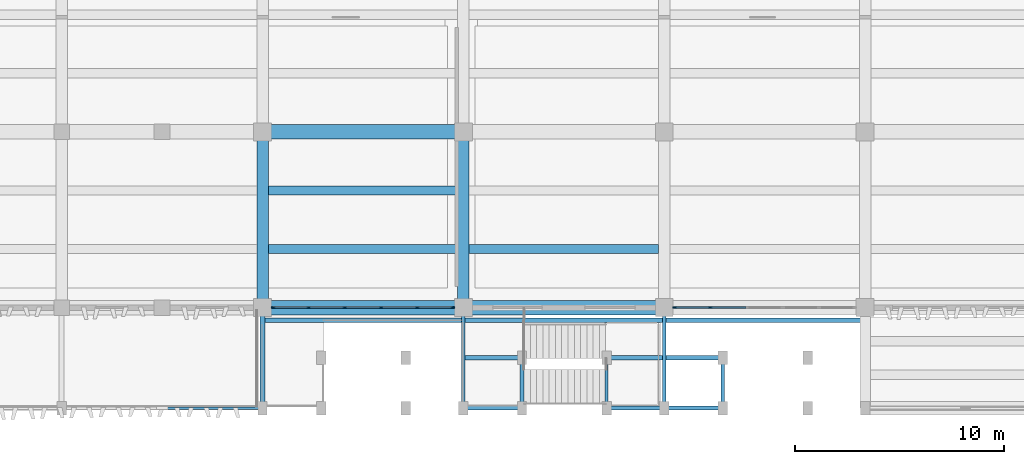
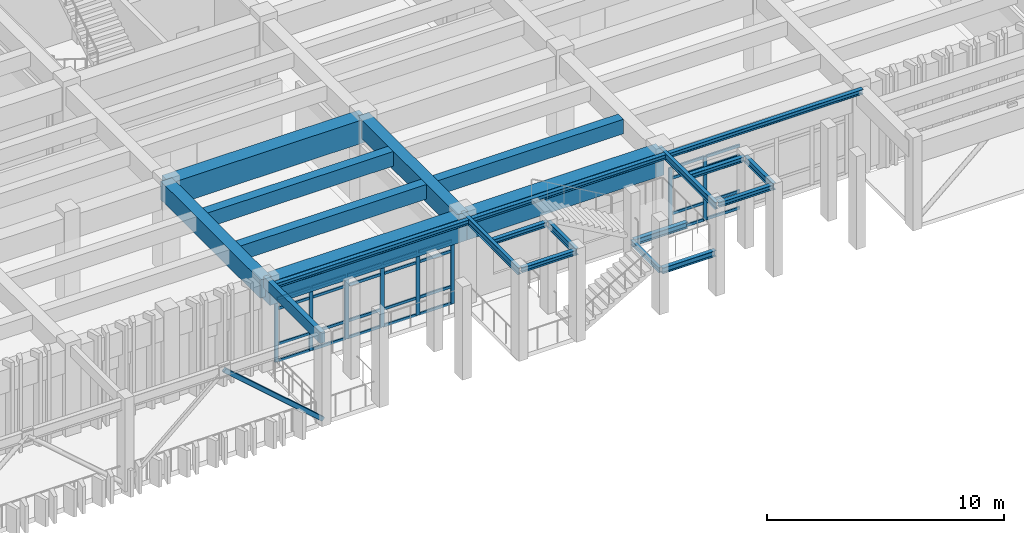
# One storey, part 11 of 86: 37 members, 23 beams, 2 elements without a shape of their own.
"""IFC4 building model written with IfcOpenShell, lengths in metres."""

from ifc_helpers import new_model, si_unit, direction, frame, origin, origin_2d, place, context, subcontext, project, spatial, rectangle, hollow_rectangle, i_section, extrude, material, layer, layer_set, material_profile, profile_set, type_object, element, aggregate, save


model = new_model("IFC4")

# Units and contexts
model_context = context("Model", 3, precision=1e-05, world=origin(), true_north=direction((0.0, 1.0)))
body_context = subcontext(model_context, "Body", "Model", "MODEL_VIEW")
ifc_project = project(units=[si_unit("LENGTHUNIT", "METRE"), si_unit("AREAUNIT", "SQUARE_METRE"), si_unit("VOLUMEUNIT", "CUBIC_METRE"), si_unit("PLANEANGLEUNIT", "RADIAN"), si_unit("MASSUNIT", "GRAM", prefix="KILO")], contexts=[model_context])

# Site, building, storey
site_placement = place(None, origin())
site = spatial("IfcSite", under=ifc_project, at=site_placement, CompositionType="ELEMENT")
building_placement = place(site_placement, origin())
building = spatial("IfcBuilding", under=site, at=building_placement, Name="Kolvemor Railside Polytechnic", CompositionType="ELEMENT")
storey_placement = place(building_placement, frame((0.0, 0.0, 5.39990234375)))
storey = spatial("IfcBuildingStorey", under=building, at=storey_placement, Name="L01", CompositionType="ELEMENT", Elevation=5.39990234375)

# Beams
ifc_material_1 = material(Name="Glulam GL28h", Category="wood")
ifc_material_profile_1 = material_profile(ifc_material_1, rectangle(XDim=0.239990234375, YDim=0.56005859375, at=origin_2d()), Name="GL240x560")
ifc_profile_set_1 = profile_set([ifc_material_profile_1], Name="Glulam GL28h")
beam_type_1 = type_object("IfcBeamType", Name="BM-GL-GIRD6", PredefinedType="BEAM", material=ifc_profile_set_1)
beam_1_placement = place(storey_placement, frame((67.199951171875, 0.0, 4.330078125), z_axis=(0.0, 1.0, 0.0), x_axis=(-1.0, 0.0, 0.0)))
element("IfcBeam", 1, at=beam_1_placement, inside=storey, type_object=beam_type_1, Name="Upper Canopy Outrigger 2008", PredefinedType="BEAM", context=body_context, shape_type="SweptSolid", body=[
    extrude(rectangle(XDim=0.239990234375, YDim=0.56005859375, at=origin_2d()), origin(), (0.0, 0.0, 1.0), 4.800048828125),
])
ifc_material_2 = material(Name="Concrete C40/50", Category="concrete")
ifc_material_profile_2 = material_profile(ifc_material_2, rectangle(XDim=0.550048828125, YDim=0.949951171875, at=origin_2d()), Name="RC550x950")
ifc_profile_set_2 = profile_set([ifc_material_profile_2], Name="Concrete C40/50")
beam_type_2 = type_object("IfcBeamType", Name="BM-RC-GIRD", PredefinedType="BEAM", material=ifc_profile_set_2)
for number, where, z_axis, x_axis, name in (
    (2, (67.199951171875, 4.800048828125, 4.005126953125), (0.0, 1.0, 0.0), (-1.0, 0.0, 0.0), "Primary Girder L02-GY 0797"),
    (3, (76.800048828125, 4.800048828125, 4.005126953125), (0.0, 1.0, 0.0), (-1.0, 0.0, 0.0), "Primary Girder L02-GY 0801"),
):
    element("IfcBeam", number, at=place(storey_placement, frame(where, z_axis=z_axis, x_axis=x_axis)), inside=storey, type_object=beam_type_2, Name=name, PredefinedType="BEAM", context=body_context, shape_type="SweptSolid", body=[
        extrude(rectangle(XDim=0.550048828125, YDim=0.949951171875, at=origin_2d()), origin(), (0.0, 0.0, 1.0), 8.39990234375),
    ])
ifc_material_3 = material(Name="Concrete C40/50", Category="concrete")
ifc_material_profile_3 = material_profile(ifc_material_3, rectangle(XDim=0.449951171875, YDim=0.75, at=origin_2d()), Name="RC450x750")
ifc_profile_set_3 = profile_set([ifc_material_profile_3], Name="Concrete C40/50")
beam_type_3 = type_object("IfcBeamType", Name="BM-RC-SEC", PredefinedType="JOIST", material=ifc_profile_set_3)
for number, where, z_axis, x_axis, name in (
    (4, (67.47509765625, 7.60009765625, 4.10498046875), (1.0, 0.0, 0.0), (0.0, 1.0, 0.0), "Floor Joist L02-J0845"),
    (5, (67.47509765625, 10.39990234375, 4.10498046875), (1.0, 0.0, 0.0), (0.0, 1.0, 0.0), "Floor Joist L02-J0846"),
):
    element("IfcBeam", number, at=place(storey_placement, frame(where, z_axis=z_axis, x_axis=x_axis)), inside=storey, type_object=beam_type_3, Name=name, PredefinedType="JOIST", context=body_context, shape_type="SweptSolid", body=[
        extrude(rectangle(XDim=0.449951171875, YDim=0.75, at=origin_2d()), origin(), (0.0, 0.0, 1.0), 9.0498046875),
    ])
beam_2_placement = place(storey_placement, frame((77.074951171875, 7.60009765625, 4.10498046875), z_axis=(1.0, 0.0, 0.0), x_axis=(0.0, 1.0, 0.0)))
element("IfcBeam", 6, at=beam_2_placement, inside=storey, type_object=beam_type_3, Name="Floor Joist L02-J0851", PredefinedType="JOIST", context=body_context, shape_type="SweptSolid", body=[
    extrude(rectangle(XDim=0.449951171875, YDim=0.75, at=origin_2d()), origin(), (0.0, 0.0, 1.0), 9.050048828125),
])
ifc_material_4 = material(Name="Concrete C40/50", Category="concrete")
ifc_material_profile_4 = material_profile(ifc_material_4, rectangle(XDim=0.699951171875, YDim=1.199951171875, at=origin_2d()), Name="RC700x1200")
ifc_profile_set_4 = profile_set([ifc_material_profile_4], Name="Concrete C40/50")
beam_type_4 = type_object("IfcBeamType", Name="BM-RC-XFER", PredefinedType="BEAM", material=ifc_profile_set_4)
beam_3_placement = place(storey_placement, frame((67.199951171875, 4.800048828125, 3.880126953125), z_axis=(1.0, 0.0, 0.0), x_axis=(0.0, 1.0, 0.0)))
element("IfcBeam", 7, at=beam_3_placement, inside=storey, type_object=beam_type_4, Name="Primary Girder L02-GX 0750", PredefinedType="BEAM", context=body_context, shape_type="SweptSolid", body=[
    extrude(rectangle(XDim=0.699951171875, YDim=1.199951171875, at=origin_2d()), origin(), (0.0, 0.0, 1.0), 9.60009765625),
])
beam_4_placement = place(storey_placement, frame((76.800048828125, 4.800048828125, 3.880126953125), z_axis=(1.0, 0.0, 0.0), x_axis=(0.0, 1.0, 0.0)))
element("IfcBeam", 8, at=beam_4_placement, inside=storey, type_object=beam_type_4, Name="Primary Girder L02-GX 0751", PredefinedType="BEAM", context=body_context, shape_type="SweptSolid", body=[
    extrude(rectangle(XDim=0.699951171875, YDim=1.199951171875, at=origin_2d()), origin(), (0.0, 0.0, 1.0), 9.599853515625),
])
beam_5_placement = place(storey_placement, frame((67.199951171875, 13.199951171875, 3.880126953125), z_axis=(1.0, 0.0, 0.0), x_axis=(0.0, 1.0, 0.0)))
element("IfcBeam", 9, at=beam_5_placement, inside=storey, type_object=beam_type_4, Name="Primary Girder L02-GX 0759", PredefinedType="BEAM", context=body_context, shape_type="SweptSolid", body=[
    extrude(rectangle(XDim=0.699951171875, YDim=1.199951171875, at=origin_2d()), origin(), (0.0, 0.0, 1.0), 9.60009765625),
])
ifc_material_5 = material(Name="Steel S355", Category="steel")
ifc_material_profile_5 = material_profile(ifc_material_5, i_section(OverallWidth=0.1708984375, OverallDepth=0.35205078125, WebThickness=0.0068359375, FlangeThickness=0.009765625, FilletRadius=0.010986328125, at=origin_2d()), Name="W360x44")
ifc_profile_set_5 = profile_set([ifc_material_profile_5], Name="Steel S355")
beam_type_5 = type_object("IfcBeamType", Name="BM-ST-G3", PredefinedType="BEAM", material=ifc_profile_set_5)
beam_6_placement = place(storey_placement, frame((76.800048828125, 0.0, 4.404052734375), z_axis=(0.0, 1.0, 0.0), x_axis=(-1.0, 0.0, 0.0)))
element("IfcBeam", 10, at=beam_6_placement, inside=storey, type_object=beam_type_5, Name="Zigzag Stair Top Beam L02 2039", PredefinedType="BEAM", context=body_context, shape_type="SweptSolid", body=[
    extrude(i_section(OverallWidth=0.1708984375, OverallDepth=0.35205078125, WebThickness=0.0068359375, FlangeThickness=0.009765625, FilletRadius=0.010986328125, at=origin_2d()), origin(), (0.0, 0.0, 1.0), 4.800048828125),
])
beam_7_placement = place(storey_placement, frame((79.60009765625, 0.0, 4.404052734375), z_axis=(0.0, 1.0, 0.0), x_axis=(-1.0, 0.0, 0.0)))
element("IfcBeam", 11, at=beam_7_placement, inside=storey, type_object=beam_type_5, Name="Zigzag Stair Top Beam L02 2040", PredefinedType="BEAM", context=body_context, shape_type="SweptSolid", body=[
    extrude(i_section(OverallWidth=0.1708984375, OverallDepth=0.35205078125, WebThickness=0.0068359375, FlangeThickness=0.009765625, FilletRadius=0.010986328125, at=origin_2d()), origin(), (0.0, 0.0, 1.0), 2.39990234375),
])
beam_8_placement = place(storey_placement, frame((86.39990234375, 0.0, 4.404052734375), z_axis=(0.0, 1.0, 0.0), x_axis=(-1.0, 0.0, 0.0)))
element("IfcBeam", 12, at=beam_8_placement, inside=storey, type_object=beam_type_5, Name="Zigzag Stair Departure Beam L02 2043", PredefinedType="BEAM", context=body_context, shape_type="SweptSolid", body=[
    extrude(i_section(OverallWidth=0.1708984375, OverallDepth=0.35205078125, WebThickness=0.0068359375, FlangeThickness=0.009765625, FilletRadius=0.010986328125, at=origin_2d()), origin(), (0.0, 0.0, 1.0), 4.800048828125),
])
beam_9_placement = place(storey_placement, frame((89.199951171875, 0.0, 4.404052734375), z_axis=(0.0, 1.0, 0.0), x_axis=(-1.0, 0.0, 0.0)))
element("IfcBeam", 13, at=beam_9_placement, inside=storey, type_object=beam_type_5, Name="Zigzag Stair Departure Beam L02 2044", PredefinedType="BEAM", context=body_context, shape_type="SweptSolid", body=[
    extrude(i_section(OverallWidth=0.1708984375, OverallDepth=0.35205078125, WebThickness=0.0068359375, FlangeThickness=0.009765625, FilletRadius=0.010986328125, at=origin_2d()), origin(), (0.0, 0.0, 1.0), 2.39990234375),
])
ifc_material_6 = material(Name="Steel S355", Category="steel")
ifc_material_profile_6 = material_profile(ifc_material_6, i_section(OverallWidth=0.14599609375, OverallDepth=0.258056640625, WebThickness=0.006103515625, FlangeThickness=0.009033203125, FilletRadius=0.009033203125, at=origin_2d()), Name="W250x33")
ifc_profile_set_6 = profile_set([ifc_material_profile_6], Name="Steel S355")
beam_type_6 = type_object("IfcBeamType", Name="BM-ST-G4", PredefinedType="BEAM", material=ifc_profile_set_6)
beam_10_placement = place(storey_placement, frame((83.64990234375, 0.0, 2.051025390625), z_axis=(0.0, 1.0, 0.0), x_axis=(-1.0, 0.0, 0.0)))
element("IfcBeam", 14, at=beam_10_placement, inside=storey, type_object=beam_type_6, Name="Zigzag Stair Mid Beam L01 2050", PredefinedType="BEAM", context=body_context, shape_type="SweptSolid", body=[
    extrude(i_section(OverallWidth=0.14599609375, OverallDepth=0.258056640625, WebThickness=0.006103515625, FlangeThickness=0.009033203125, FilletRadius=0.009033203125, at=origin_2d()), origin(), (0.0, 0.0, 1.0), 2.39990234375),
])
ifc_material_7 = material(Name="Steel S355", Category="steel")
ifc_material_profile_7 = material_profile(ifc_material_7, i_section(OverallWidth=0.202880859375, OverallDepth=0.302978515625, WebThickness=0.007568359375, FlangeThickness=0.01318359375, FilletRadius=0.010009765625, at=origin_2d()), Name="W310x60")
ifc_profile_set_7 = profile_set([ifc_material_profile_7], Name="Steel S355")
beam_type_7 = type_object("IfcBeamType", Name="BM-ST-G5", PredefinedType="BEAM", material=ifc_profile_set_7)
for number, where, z_axis, x_axis, name in (
    (15, (83.72509765625, 0.0, 2.028564453125), (1.0, 0.0, 0.0), (0.0, 1.0, 0.0), "Zigzag Stair Mid Tie L01 2051"),
    (16, (83.72509765625, 2.39990234375, 2.028564453125), (1.0, 0.0, 0.0), (0.0, 1.0, 0.0), "Zigzag Stair Mid Tie L01 2052"),
):
    element("IfcBeam", number, at=place(storey_placement, frame(where, z_axis=z_axis, x_axis=x_axis)), inside=storey, type_object=beam_type_7, Name=name, PredefinedType="BEAM", context=body_context, shape_type="SweptSolid", body=[
        extrude(i_section(OverallWidth=0.202880859375, OverallDepth=0.302978515625, WebThickness=0.007568359375, FlangeThickness=0.01318359375, FilletRadius=0.010009765625, at=origin_2d()), origin(), (0.0, 0.0, 1.0), 2.599853515625),
    ])
ifc_material_8 = material(Name="Steel S355", Category="steel")
ifc_material_profile_8 = material_profile(ifc_material_8, i_section(OverallWidth=0.201904296875, OverallDepth=0.2470703125, WebThickness=0.00732421875, FlangeThickness=0.010986328125, FilletRadius=0.010009765625, at=origin_2d()), Name="W250x49")
ifc_profile_set_8 = profile_set([ifc_material_profile_8], Name="Steel S355")
beam_type_8 = type_object("IfcBeamType", Name="BM-ST-G6", PredefinedType="BEAM", material=ifc_profile_set_8)
for number, where, z_axis, x_axis, name in (
    (17, (76.875, 0.0, 4.45654296875), (1.0, 0.0, 0.0), (0.0, 1.0, 0.0), "Zigzag Stair Top Tie L02 2041"),
    (18, (76.875, 2.39990234375, 4.45654296875), (1.0, 0.0, 0.0), (0.0, 1.0, 0.0), "Zigzag Stair Top Tie L02 2042"),
    (19, (86.47509765625, 0.0, 4.45654296875), (1.0, 0.0, 0.0), (0.0, 1.0, 0.0), "Zigzag Stair Departure Tie L02 2045"),
    (20, (86.47509765625, 2.39990234375, 4.45654296875), (1.0, 0.0, 0.0), (0.0, 1.0, 0.0), "Zigzag Stair Departure Tie L02 2046"),
):
    element("IfcBeam", number, at=place(storey_placement, frame(where, z_axis=z_axis, x_axis=x_axis)), inside=storey, type_object=beam_type_8, Name=name, PredefinedType="BEAM", context=body_context, shape_type="SweptSolid", body=[
        extrude(i_section(OverallWidth=0.201904296875, OverallDepth=0.2470703125, WebThickness=0.00732421875, FlangeThickness=0.010986328125, FilletRadius=0.010009765625, at=origin_2d()), origin(), (0.0, 0.0, 1.0), 2.64990234375),
    ])
beam_11_placement = place(storey_placement, frame((67.280029296875, 4.199951171875, 4.45654296875), z_axis=(1.0, 0.0, 0.0), x_axis=(0.0, 1.0, 0.0)))
element("IfcBeam", 21, at=beam_11_placement, inside=storey, type_object=beam_type_8, Name="Zigzag Rear Gallery Beam L02 2047", PredefinedType="BEAM", context=body_context, shape_type="SweptSolid", body=[
    extrude(i_section(OverallWidth=0.201904296875, OverallDepth=0.2470703125, WebThickness=0.00732421875, FlangeThickness=0.010986328125, FilletRadius=0.010009765625, at=origin_2d()), origin(), (0.0, 0.0, 1.0), 9.43994140625),
])
beam_12_placement = place(storey_placement, frame((76.8798828125, 4.199951171875, 4.45654296875), z_axis=(1.0, 0.0, 0.0), x_axis=(0.0, 1.0, 0.0)))
element("IfcBeam", 22, at=beam_12_placement, inside=storey, type_object=beam_type_8, Name="Zigzag Rear Gallery Beam L02 2048", PredefinedType="BEAM", context=body_context, shape_type="SweptSolid", body=[
    extrude(i_section(OverallWidth=0.201904296875, OverallDepth=0.2470703125, WebThickness=0.00732421875, FlangeThickness=0.010986328125, FilletRadius=0.010009765625, at=origin_2d()), origin(), (0.0, 0.0, 1.0), 9.440185546875),
])
beam_13_placement = place(storey_placement, frame((86.47998046875, 4.199951171875, 4.45654296875), z_axis=(1.0, 0.0, 0.0), x_axis=(0.0, 1.0, 0.0)))
element("IfcBeam", 23, at=beam_13_placement, inside=storey, type_object=beam_type_8, Name="Zigzag Rear Gallery Beam L02 2049", PredefinedType="BEAM", context=body_context, shape_type="SweptSolid", body=[
    extrude(i_section(OverallWidth=0.201904296875, OverallDepth=0.2470703125, WebThickness=0.00732421875, FlangeThickness=0.010986328125, FilletRadius=0.010009765625, at=origin_2d()), origin(), (0.0, 0.0, 1.0), 9.43994140625),
])

# Curtain wall, members
ifc_material_9 = material(Name="Anodised marine aluminium and laminated low-E glass", Category="aluminium")
ifc_layer = layer(ifc_material_9, 0.179931640625, Name="CW-UNIT-STD")
ifc_layer_set = layer_set([ifc_layer], Name="Anodised marine aluminium and laminated low-E glass")
curtain_wall_type = type_object("IfcCurtainWallType", Name="CW-UNIT-STD", PredefinedType="USERDEFINED", material=ifc_layer_set)
curtain_wall_1_placement = place(storey_placement, origin())
curtain_wall_1 = element("IfcCurtainWall", 24, at=curtain_wall_1_placement, inside=storey, type_object=curtain_wall_type, Name="Curtain Wall L01-096", ObjectType="UNITISED CURTAIN WALL", PredefinedType="USERDEFINED")
ifc_material_10 = material(Name="Anodised marine aluminium 6063-T6", Category="aluminium")
ifc_material_profile_9 = material_profile(ifc_material_10, rectangle(XDim=0.074951171875, YDim=0.179931640625, at=origin_2d()), Name="CW-MUL-75x180")
ifc_profile_set_9 = profile_set([ifc_material_profile_9], Name="Anodised marine aluminium 6063-T6")
member_type_1 = type_object("IfcMemberType", Name="CWM-75x180", PredefinedType="MULLION", material=ifc_profile_set_9)
member_1_placement = place(storey_placement, frame((67.70751953125, 4.800048828125, 0.0), z_axis=(0.0, 0.0, 1.0), x_axis=(0.0, 1.0, 0.0)))
member_1 = element("IfcMember", 25, at=member_1_placement, type_object=member_type_1, Name="CW-STD mullion 1", PredefinedType="MULLION", context=body_context, shape_type="SweptSolid", body=[
    extrude(rectangle(XDim=0.074951171875, YDim=0.179931640625, at=origin_2d()), origin(), (0.0, 0.0, 1.0), 3.280029296875),
])
member_2_placement = place(storey_placement, frame((69.402099609375, 4.800048828125, 0.0), z_axis=(0.0, 0.0, 1.0), x_axis=(0.0, 1.0, 0.0)))
member_2 = element("IfcMember", 26, at=member_2_placement, type_object=member_type_1, Name="CW-STD mullion 2", PredefinedType="MULLION", context=body_context, shape_type="SweptSolid", body=[
    extrude(rectangle(XDim=0.074951171875, YDim=0.179931640625, at=origin_2d()), origin(), (0.0, 0.0, 1.0), 3.280029296875),
])
member_3_placement = place(storey_placement, frame((71.134033203125, 4.800048828125, 0.0), z_axis=(0.0, 0.0, 1.0), x_axis=(0.0, 1.0, 0.0)))
member_3 = element("IfcMember", 27, at=member_3_placement, type_object=member_type_1, Name="CW-STD mullion 3", PredefinedType="MULLION", context=body_context, shape_type="SweptSolid", body=[
    extrude(rectangle(XDim=0.074951171875, YDim=0.179931640625, at=origin_2d()), origin(), (0.0, 0.0, 1.0), 3.280029296875),
])
member_4_placement = place(storey_placement, frame((72.865966796875, 4.800048828125, 0.0), z_axis=(0.0, 0.0, 1.0), x_axis=(0.0, 1.0, 0.0)))
member_4 = element("IfcMember", 28, at=member_4_placement, type_object=member_type_1, Name="CW-STD mullion 4", PredefinedType="MULLION", context=body_context, shape_type="SweptSolid", body=[
    extrude(rectangle(XDim=0.074951171875, YDim=0.179931640625, at=origin_2d()), origin(), (0.0, 0.0, 1.0), 3.280029296875),
])
member_5_placement = place(storey_placement, frame((74.597900390625, 4.800048828125, 0.0), z_axis=(0.0, 0.0, 1.0), x_axis=(0.0, 1.0, 0.0)))
member_5 = element("IfcMember", 29, at=member_5_placement, type_object=member_type_1, Name="CW-STD mullion 5", PredefinedType="MULLION", context=body_context, shape_type="SweptSolid", body=[
    extrude(rectangle(XDim=0.074951171875, YDim=0.179931640625, at=origin_2d()), origin(), (0.0, 0.0, 1.0), 3.280029296875),
])
member_6_placement = place(storey_placement, frame((76.29248046875, 4.800048828125, 0.0), z_axis=(0.0, 0.0, 1.0), x_axis=(0.0, 1.0, 0.0)))
member_6 = element("IfcMember", 30, at=member_6_placement, type_object=member_type_1, Name="CW-STD mullion 6", PredefinedType="MULLION", context=body_context, shape_type="SweptSolid", body=[
    extrude(rectangle(XDim=0.074951171875, YDim=0.179931640625, at=origin_2d()), origin(), (0.0, 0.0, 1.0), 3.280029296875),
])

curtain_wall_2_placement = place(storey_placement, origin())
curtain_wall_2 = element("IfcCurtainWall", 31, at=curtain_wall_2_placement, inside=storey, type_object=curtain_wall_type, Name="Curtain Wall L01-097", ObjectType="UNITISED CURTAIN WALL", PredefinedType="USERDEFINED")
member_7_placement = place(storey_placement, frame((86.907470703125, 4.800048828125, 0.0), z_axis=(0.0, 0.0, 1.0), x_axis=(0.0, 1.0, 0.0)))
member_7 = element("IfcMember", 32, at=member_7_placement, type_object=member_type_1, Name="CW-STD mullion 1", PredefinedType="MULLION", context=body_context, shape_type="SweptSolid", body=[
    extrude(rectangle(XDim=0.074951171875, YDim=0.179931640625, at=origin_2d()), origin(), (0.0, 0.0, 1.0), 3.280029296875),
])
member_8_placement = place(storey_placement, frame((88.60205078125, 4.800048828125, 0.0), z_axis=(0.0, 0.0, 1.0), x_axis=(0.0, 1.0, 0.0)))
member_8 = element("IfcMember", 33, at=member_8_placement, type_object=member_type_1, Name="CW-STD mullion 2", PredefinedType="MULLION", context=body_context, shape_type="SweptSolid", body=[
    extrude(rectangle(XDim=0.074951171875, YDim=0.179931640625, at=origin_2d()), origin(), (0.0, 0.0, 1.0), 3.280029296875),
])

# Member
ifc_material_11 = material(Name="Anodised marine aluminium 6063-T6", Category="aluminium")
ifc_material_profile_10 = material_profile(ifc_material_11, rectangle(XDim=0.074951171875, YDim=0.139892578125, at=origin_2d()), Name="CW-TRN-75x140")
ifc_profile_set_10 = profile_set([ifc_material_profile_10], Name="Anodised marine aluminium 6063-T6")
member_type_2 = type_object("IfcMemberType", Name="CWT-75x140", PredefinedType="USERDEFINED", material=ifc_profile_set_10)
member_9_placement = place(storey_placement, frame((67.7451171875, 4.800048828125, 0.03759765625), z_axis=(1.0, 0.0, 0.0), x_axis=(0.0, 1.0, 0.0)))
member_9 = element("IfcMember", 34, at=member_9_placement, type_object=member_type_2, Name="CW-STD transom 1.1", ObjectType="TRANSOM", PredefinedType="USERDEFINED", context=body_context, shape_type="SweptSolid", body=[
    extrude(rectangle(XDim=0.074951171875, YDim=0.139892578125, at=origin_2d()), origin(), (0.0, 0.0, 1.0), 1.619384765625),
])

member_10_placement = place(storey_placement, frame((67.7451171875, 4.800048828125, 0.900146484375), z_axis=(1.0, 0.0, 0.0), x_axis=(0.0, 1.0, 0.0)))
member_10 = element("IfcMember", 35, at=member_10_placement, type_object=member_type_2, Name="CW-STD transom 1.2", ObjectType="TRANSOM", PredefinedType="USERDEFINED", context=body_context, shape_type="SweptSolid", body=[
    extrude(rectangle(XDim=0.074951171875, YDim=0.139892578125, at=origin_2d()), origin(), (0.0, 0.0, 1.0), 1.619384765625),
])

member_11_placement = place(storey_placement, frame((67.7451171875, 4.800048828125, 2.72998046875), z_axis=(1.0, 0.0, 0.0), x_axis=(0.0, 1.0, 0.0)))
member_11 = element("IfcMember", 36, at=member_11_placement, type_object=member_type_2, Name="CW-STD transom 1.3", ObjectType="TRANSOM", PredefinedType="USERDEFINED", context=body_context, shape_type="SweptSolid", body=[
    extrude(rectangle(XDim=0.074951171875, YDim=0.139892578125, at=origin_2d()), origin(), (0.0, 0.0, 1.0), 1.619384765625),
])

member_12_placement = place(storey_placement, frame((67.7451171875, 4.800048828125, 3.24267578125), z_axis=(1.0, 0.0, 0.0), x_axis=(0.0, 1.0, 0.0)))
member_12 = element("IfcMember", 37, at=member_12_placement, type_object=member_type_2, Name="CW-STD transom 1.4", ObjectType="TRANSOM", PredefinedType="USERDEFINED", context=body_context, shape_type="SweptSolid", body=[
    extrude(rectangle(XDim=0.074951171875, YDim=0.139892578125, at=origin_2d()), origin(), (0.0, 0.0, 1.0), 1.619384765625),
])

member_13_placement = place(storey_placement, frame((69.439453125, 4.800048828125, 0.03759765625), z_axis=(1.0, 0.0, 0.0), x_axis=(0.0, 1.0, 0.0)))
member_13 = element("IfcMember", 38, at=member_13_placement, type_object=member_type_2, Name="CW-STD transom 2.1", ObjectType="TRANSOM", PredefinedType="USERDEFINED", context=body_context, shape_type="SweptSolid", body=[
    extrude(rectangle(XDim=0.074951171875, YDim=0.139892578125, at=origin_2d()), origin(), (0.0, 0.0, 1.0), 1.656982421875),
])

member_14_placement = place(storey_placement, frame((69.439453125, 4.800048828125, 0.900146484375), z_axis=(1.0, 0.0, 0.0), x_axis=(0.0, 1.0, 0.0)))
member_14 = element("IfcMember", 39, at=member_14_placement, type_object=member_type_2, Name="CW-STD transom 2.2", ObjectType="TRANSOM", PredefinedType="USERDEFINED", context=body_context, shape_type="SweptSolid", body=[
    extrude(rectangle(XDim=0.074951171875, YDim=0.139892578125, at=origin_2d()), origin(), (0.0, 0.0, 1.0), 1.656982421875),
])

member_15_placement = place(storey_placement, frame((69.439453125, 4.800048828125, 2.72998046875), z_axis=(1.0, 0.0, 0.0), x_axis=(0.0, 1.0, 0.0)))
member_15 = element("IfcMember", 40, at=member_15_placement, type_object=member_type_2, Name="CW-STD transom 2.3", ObjectType="TRANSOM", PredefinedType="USERDEFINED", context=body_context, shape_type="SweptSolid", body=[
    extrude(rectangle(XDim=0.074951171875, YDim=0.139892578125, at=origin_2d()), origin(), (0.0, 0.0, 1.0), 1.656982421875),
])

member_16_placement = place(storey_placement, frame((69.439453125, 4.800048828125, 3.24267578125), z_axis=(1.0, 0.0, 0.0), x_axis=(0.0, 1.0, 0.0)))
member_16 = element("IfcMember", 41, at=member_16_placement, type_object=member_type_2, Name="CW-STD transom 2.4", ObjectType="TRANSOM", PredefinedType="USERDEFINED", context=body_context, shape_type="SweptSolid", body=[
    extrude(rectangle(XDim=0.074951171875, YDim=0.139892578125, at=origin_2d()), origin(), (0.0, 0.0, 1.0), 1.656982421875),
])

member_17_placement = place(storey_placement, frame((71.17138671875, 4.800048828125, 0.03759765625), z_axis=(1.0, 0.0, 0.0), x_axis=(0.0, 1.0, 0.0)))
member_17 = element("IfcMember", 42, at=member_17_placement, type_object=member_type_2, Name="CW-STD transom 3.1", ObjectType="TRANSOM", PredefinedType="USERDEFINED", context=body_context, shape_type="SweptSolid", body=[
    extrude(rectangle(XDim=0.074951171875, YDim=0.139892578125, at=origin_2d()), origin(), (0.0, 0.0, 1.0), 1.6572265625),
])

member_18_placement = place(storey_placement, frame((71.17138671875, 4.800048828125, 0.900146484375), z_axis=(1.0, 0.0, 0.0), x_axis=(0.0, 1.0, 0.0)))
member_18 = element("IfcMember", 43, at=member_18_placement, type_object=member_type_2, Name="CW-STD transom 3.2", ObjectType="TRANSOM", PredefinedType="USERDEFINED", context=body_context, shape_type="SweptSolid", body=[
    extrude(rectangle(XDim=0.074951171875, YDim=0.139892578125, at=origin_2d()), origin(), (0.0, 0.0, 1.0), 1.6572265625),
])

member_19_placement = place(storey_placement, frame((71.17138671875, 4.800048828125, 2.72998046875), z_axis=(1.0, 0.0, 0.0), x_axis=(0.0, 1.0, 0.0)))
member_19 = element("IfcMember", 44, at=member_19_placement, type_object=member_type_2, Name="CW-STD transom 3.3", ObjectType="TRANSOM", PredefinedType="USERDEFINED", context=body_context, shape_type="SweptSolid", body=[
    extrude(rectangle(XDim=0.074951171875, YDim=0.139892578125, at=origin_2d()), origin(), (0.0, 0.0, 1.0), 1.6572265625),
])

member_20_placement = place(storey_placement, frame((71.17138671875, 4.800048828125, 3.24267578125), z_axis=(1.0, 0.0, 0.0), x_axis=(0.0, 1.0, 0.0)))
member_20 = element("IfcMember", 45, at=member_20_placement, type_object=member_type_2, Name="CW-STD transom 3.4", ObjectType="TRANSOM", PredefinedType="USERDEFINED", context=body_context, shape_type="SweptSolid", body=[
    extrude(rectangle(XDim=0.074951171875, YDim=0.139892578125, at=origin_2d()), origin(), (0.0, 0.0, 1.0), 1.6572265625),
])

member_21_placement = place(storey_placement, frame((72.903564453125, 4.800048828125, 0.03759765625), z_axis=(1.0, 0.0, 0.0), x_axis=(0.0, 1.0, 0.0)))
member_21 = element("IfcMember", 46, at=member_21_placement, type_object=member_type_2, Name="CW-STD transom 4.1", ObjectType="TRANSOM", PredefinedType="USERDEFINED", context=body_context, shape_type="SweptSolid", body=[
    extrude(rectangle(XDim=0.074951171875, YDim=0.139892578125, at=origin_2d()), origin(), (0.0, 0.0, 1.0), 1.656982421875),
])

member_22_placement = place(storey_placement, frame((72.903564453125, 4.800048828125, 0.900146484375), z_axis=(1.0, 0.0, 0.0), x_axis=(0.0, 1.0, 0.0)))
member_22 = element("IfcMember", 47, at=member_22_placement, type_object=member_type_2, Name="CW-STD transom 4.2", ObjectType="TRANSOM", PredefinedType="USERDEFINED", context=body_context, shape_type="SweptSolid", body=[
    extrude(rectangle(XDim=0.074951171875, YDim=0.139892578125, at=origin_2d()), origin(), (0.0, 0.0, 1.0), 1.656982421875),
])

member_23_placement = place(storey_placement, frame((72.903564453125, 4.800048828125, 2.72998046875), z_axis=(1.0, 0.0, 0.0), x_axis=(0.0, 1.0, 0.0)))
member_23 = element("IfcMember", 48, at=member_23_placement, type_object=member_type_2, Name="CW-STD transom 4.3", ObjectType="TRANSOM", PredefinedType="USERDEFINED", context=body_context, shape_type="SweptSolid", body=[
    extrude(rectangle(XDim=0.074951171875, YDim=0.139892578125, at=origin_2d()), origin(), (0.0, 0.0, 1.0), 1.656982421875),
])

member_24_placement = place(storey_placement, frame((72.903564453125, 4.800048828125, 3.24267578125), z_axis=(1.0, 0.0, 0.0), x_axis=(0.0, 1.0, 0.0)))
member_24 = element("IfcMember", 49, at=member_24_placement, type_object=member_type_2, Name="CW-STD transom 4.4", ObjectType="TRANSOM", PredefinedType="USERDEFINED", context=body_context, shape_type="SweptSolid", body=[
    extrude(rectangle(XDim=0.074951171875, YDim=0.139892578125, at=origin_2d()), origin(), (0.0, 0.0, 1.0), 1.656982421875),
])

member_25_placement = place(storey_placement, frame((74.635498046875, 4.800048828125, 0.03759765625), z_axis=(1.0, 0.0, 0.0), x_axis=(0.0, 1.0, 0.0)))
member_25 = element("IfcMember", 50, at=member_25_placement, type_object=member_type_2, Name="CW-STD transom 5.1", ObjectType="TRANSOM", PredefinedType="USERDEFINED", context=body_context, shape_type="SweptSolid", body=[
    extrude(rectangle(XDim=0.074951171875, YDim=0.139892578125, at=origin_2d()), origin(), (0.0, 0.0, 1.0), 1.619384765625),
])

member_26_placement = place(storey_placement, frame((74.635498046875, 4.800048828125, 0.900146484375), z_axis=(1.0, 0.0, 0.0), x_axis=(0.0, 1.0, 0.0)))
member_26 = element("IfcMember", 51, at=member_26_placement, type_object=member_type_2, Name="CW-STD transom 5.2", ObjectType="TRANSOM", PredefinedType="USERDEFINED", context=body_context, shape_type="SweptSolid", body=[
    extrude(rectangle(XDim=0.074951171875, YDim=0.139892578125, at=origin_2d()), origin(), (0.0, 0.0, 1.0), 1.619384765625),
])

member_27_placement = place(storey_placement, frame((74.635498046875, 4.800048828125, 2.72998046875), z_axis=(1.0, 0.0, 0.0), x_axis=(0.0, 1.0, 0.0)))
member_27 = element("IfcMember", 52, at=member_27_placement, type_object=member_type_2, Name="CW-STD transom 5.3", ObjectType="TRANSOM", PredefinedType="USERDEFINED", context=body_context, shape_type="SweptSolid", body=[
    extrude(rectangle(XDim=0.074951171875, YDim=0.139892578125, at=origin_2d()), origin(), (0.0, 0.0, 1.0), 1.619384765625),
])

member_28_placement = place(storey_placement, frame((74.635498046875, 4.800048828125, 3.24267578125), z_axis=(1.0, 0.0, 0.0), x_axis=(0.0, 1.0, 0.0)))
member_28 = element("IfcMember", 53, at=member_28_placement, type_object=member_type_2, Name="CW-STD transom 5.4", ObjectType="TRANSOM", PredefinedType="USERDEFINED", context=body_context, shape_type="SweptSolid", body=[
    extrude(rectangle(XDim=0.074951171875, YDim=0.139892578125, at=origin_2d()), origin(), (0.0, 0.0, 1.0), 1.619384765625),
])

aggregate(curtain_wall_1, [member_1, member_2, member_3, member_4, member_5, member_6, member_9, member_10, member_11, member_12, member_13, member_14, member_15, member_16, member_17, member_18, member_19, member_20, member_21, member_22, member_23, member_24, member_25, member_26, member_27, member_28])

member_29_placement = place(storey_placement, frame((86.945068359375, 4.800048828125, 0.03759765625), z_axis=(1.0, 0.0, 0.0), x_axis=(0.0, 1.0, 0.0)))
member_29 = element("IfcMember", 54, at=member_29_placement, type_object=member_type_2, Name="CW-STD transom 1.1", ObjectType="TRANSOM", PredefinedType="USERDEFINED", context=body_context, shape_type="SweptSolid", body=[
    extrude(rectangle(XDim=0.074951171875, YDim=0.139892578125, at=origin_2d()), origin(), (0.0, 0.0, 1.0), 1.619384765625),
])

member_30_placement = place(storey_placement, frame((86.945068359375, 4.800048828125, 0.900146484375), z_axis=(1.0, 0.0, 0.0), x_axis=(0.0, 1.0, 0.0)))
member_30 = element("IfcMember", 55, at=member_30_placement, type_object=member_type_2, Name="CW-STD transom 1.2", ObjectType="TRANSOM", PredefinedType="USERDEFINED", context=body_context, shape_type="SweptSolid", body=[
    extrude(rectangle(XDim=0.074951171875, YDim=0.139892578125, at=origin_2d()), origin(), (0.0, 0.0, 1.0), 1.619384765625),
])

member_31_placement = place(storey_placement, frame((86.945068359375, 4.800048828125, 2.72998046875), z_axis=(1.0, 0.0, 0.0), x_axis=(0.0, 1.0, 0.0)))
member_31 = element("IfcMember", 56, at=member_31_placement, type_object=member_type_2, Name="CW-STD transom 1.3", ObjectType="TRANSOM", PredefinedType="USERDEFINED", context=body_context, shape_type="SweptSolid", body=[
    extrude(rectangle(XDim=0.074951171875, YDim=0.139892578125, at=origin_2d()), origin(), (0.0, 0.0, 1.0), 1.619384765625),
])

member_32_placement = place(storey_placement, frame((86.945068359375, 4.800048828125, 3.24267578125), z_axis=(1.0, 0.0, 0.0), x_axis=(0.0, 1.0, 0.0)))
member_32 = element("IfcMember", 57, at=member_32_placement, type_object=member_type_2, Name="CW-STD transom 1.4", ObjectType="TRANSOM", PredefinedType="USERDEFINED", context=body_context, shape_type="SweptSolid", body=[
    extrude(rectangle(XDim=0.074951171875, YDim=0.139892578125, at=origin_2d()), origin(), (0.0, 0.0, 1.0), 1.619384765625),
])

member_33_placement = place(storey_placement, frame((88.639404296875, 4.800048828125, 0.03759765625), z_axis=(1.0, 0.0, 0.0), x_axis=(0.0, 1.0, 0.0)))
member_33 = element("IfcMember", 58, at=member_33_placement, type_object=member_type_2, Name="CW-STD transom 2.1", ObjectType="TRANSOM", PredefinedType="USERDEFINED", context=body_context, shape_type="SweptSolid", body=[
    extrude(rectangle(XDim=0.074951171875, YDim=0.139892578125, at=origin_2d()), origin(), (0.0, 0.0, 1.0), 1.656982421875),
])

member_34_placement = place(storey_placement, frame((88.639404296875, 4.800048828125, 0.900146484375), z_axis=(1.0, 0.0, 0.0), x_axis=(0.0, 1.0, 0.0)))
member_34 = element("IfcMember", 59, at=member_34_placement, type_object=member_type_2, Name="CW-STD transom 2.2", ObjectType="TRANSOM", PredefinedType="USERDEFINED", context=body_context, shape_type="SweptSolid", body=[
    extrude(rectangle(XDim=0.074951171875, YDim=0.139892578125, at=origin_2d()), origin(), (0.0, 0.0, 1.0), 1.656982421875),
])

member_35_placement = place(storey_placement, frame((88.639404296875, 4.800048828125, 2.72998046875), z_axis=(1.0, 0.0, 0.0), x_axis=(0.0, 1.0, 0.0)))
member_35 = element("IfcMember", 60, at=member_35_placement, type_object=member_type_2, Name="CW-STD transom 2.3", ObjectType="TRANSOM", PredefinedType="USERDEFINED", context=body_context, shape_type="SweptSolid", body=[
    extrude(rectangle(XDim=0.074951171875, YDim=0.139892578125, at=origin_2d()), origin(), (0.0, 0.0, 1.0), 1.656982421875),
])

member_36_placement = place(storey_placement, frame((88.639404296875, 4.800048828125, 3.24267578125), z_axis=(1.0, 0.0, 0.0), x_axis=(0.0, 1.0, 0.0)))
member_36 = element("IfcMember", 61, at=member_36_placement, type_object=member_type_2, Name="CW-STD transom 2.4", ObjectType="TRANSOM", PredefinedType="USERDEFINED", context=body_context, shape_type="SweptSolid", body=[
    extrude(rectangle(XDim=0.074951171875, YDim=0.139892578125, at=origin_2d()), origin(), (0.0, 0.0, 1.0), 1.656982421875),
])

aggregate(curtain_wall_2, [member_7, member_8, member_29, member_30, member_31, member_32, member_33, member_34, member_35, member_36])

ifc_material_12 = material(Name="Steel S355", Category="steel")
ifc_material_profile_11 = material_profile(ifc_material_12, hollow_rectangle(XDim=0.139892578125, YDim=0.219970703125, WallThickness=0.010009765625, InnerFilletRadius=0.010009765625, OuterFilletRadius=0.02001953125, at=origin_2d()), Name="HSS220x140x10")
ifc_profile_set_11 = profile_set([ifc_material_profile_11], Name="Steel S355")
member_type_3 = type_object("IfcMemberType", Name="MEM-BR-HSS3", PredefinedType="BRACE", material=ifc_profile_set_11)
member_37_placement = place(storey_placement, frame((67.199951171875, 0.0, 0.150146484375), z_axis=(-0.752583808274, 0.0, 0.658496477989), x_axis=(0.0, -1.0, 0.0)))
element("IfcMember", 62, at=member_37_placement, inside=storey, type_object=member_type_3, Name="Wind Chevron Brace BR-14B", PredefinedType="BRACE", context=body_context, shape_type="SweptSolid", body=[
    extrude(hollow_rectangle(XDim=0.139892578125, YDim=0.219970703125, WallThickness=0.010009765625, InnerFilletRadius=0.010009765625, OuterFilletRadius=0.02001953125, at=origin_2d()), origin(), (0.0, 0.0, 1.0), 6.378173828125),
])

save(model, "model.ifc")
